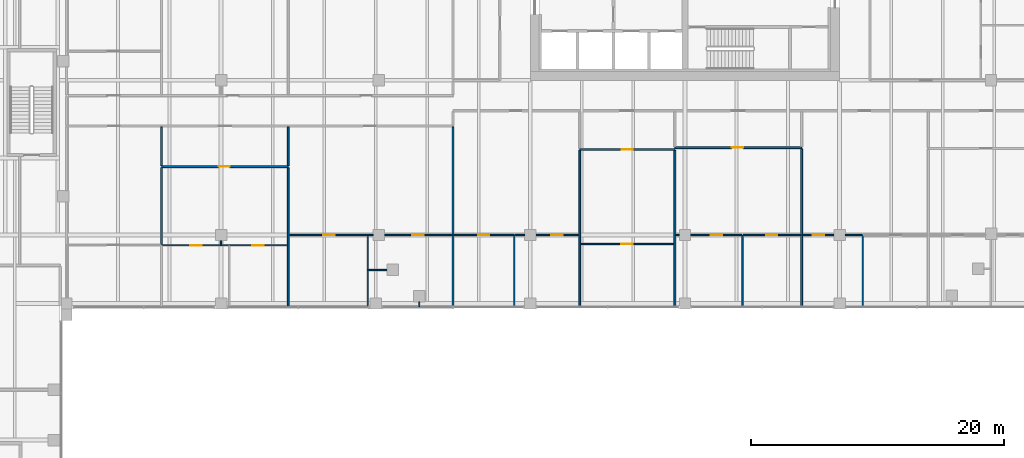
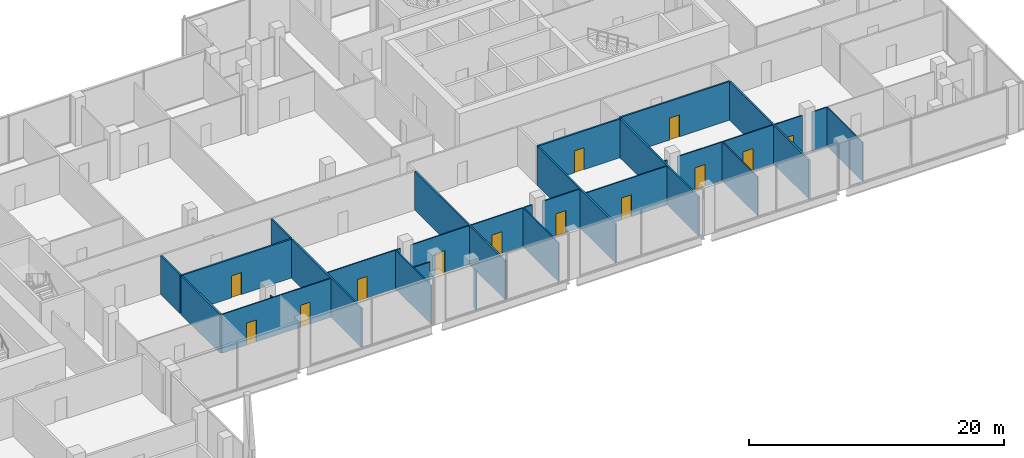
# One storey, part 25 of 33: 30 walls, 13 doors, 13 openings.
"""IFC4 building model written with IfcOpenShell, lengths in metres."""

from ifc_helpers import new_model, si_unit, direction, frame, frame_2d, origin, place, context, subcontext, project, spatial, rectangle, extrude, source, transform, mapped, material, layer, layer_set, type_object, element, fill, save


model = new_model("IFC4")

# Units and contexts
model_context = context("Model", 3, precision=1e-05, world=origin(), true_north=direction((0.0, 1.0)))
body_context = subcontext(model_context, "Body", "Model", "MODEL_VIEW")
ifc_project = project(units=[si_unit("LENGTHUNIT", "METRE"), si_unit("AREAUNIT", "SQUARE_METRE"), si_unit("VOLUMEUNIT", "CUBIC_METRE"), si_unit("PLANEANGLEUNIT", "RADIAN"), si_unit("MASSUNIT", "GRAM", prefix="KILO")], contexts=[model_context])

# Site, building, storey
site_placement = place(None, origin())
site = spatial("IfcSite", under=ifc_project, at=site_placement, CompositionType="ELEMENT")
building_placement = place(site_placement, origin())
building = spatial("IfcBuilding", under=site, at=building_placement, Name="Tessera Gate Towers", CompositionType="ELEMENT")
storey_placement = place(building_placement, frame((0.0, 0.0, 7.199951171875)))
storey = spatial("IfcBuildingStorey", under=building, at=storey_placement, Name="L01", CompositionType="ELEMENT", Elevation=7.199951171875)

# Wall, opening, door
ifc_material_1 = material(Name="Glass", Category="glass")
ifc_layer_1 = layer(ifc_material_1, 0.10009765625)
ifc_layer_set_1 = layer_set([ifc_layer_1], Name="GLAZED PARTITION 100")
wall_type_1 = type_object("IfcWallType", Name="GLAZED PARTITION 100", PredefinedType="PARTITIONING", material=ifc_layer_set_1)
wall_1_placement = place(storey_placement, frame((121.549072265625, 24.39990234375, 0.0), z_axis=(0.0, 0.0, 1.0), x_axis=(-1.0, 0.0, 0.0)))
wall_1 = element("IfcWall", 1, at=wall_1_placement, inside=storey, type_object=wall_type_1, Name="PODIUM-L01-PW-045", PredefinedType="PARTITIONING", context=body_context, shape_type="SweptSolid", body=[
    extrude(rectangle(XDim=2.47314453125, YDim=0.10009765625, at=frame_2d((1.236572265625, 0.0))), origin(), (0.0, 0.0, 1.0), 3.715087890625),
])
shared_shape_1 = source(origin(), body_context, "Body", "SweptSolid", [
    extrude(rectangle(XDim=0.89990234375, YDim=2.10009765625, at=frame_2d((0.449951171875, 1.050048828125))), frame((0.0, 0.06005859375, 0.0), z_axis=(0.0, -1.0, 0.0), x_axis=(1.0, 0.0, 0.0)), (0.0, 0.0, 1.0), 0.1201171875),
])
opening_1_placement = place(wall_1_placement, frame((0.77294921875, 0.0, 0.0)))
opening_1 = element("IfcOpeningElement", 2, at=opening_1_placement, cuts=wall_1, Name="Opening D690-P02-01", PredefinedType="OPENING", context=body_context, shape_type="MappedRepresentation", body=[
    mapped(shared_shape_1, transform((0.0, 0.0, 0.0), scale=1.0)),
])
ifc_material_2 = material(Name="Glass in aluminium frame", Category="aluminium")
door_type_1 = type_object("IfcDoorType", Name="GLAZED DOOR 900 NOT RATED", OperationType="NOTDEFINED", PredefinedType="DOOR", material=ifc_material_2)
shared_shape_2 = source(origin(), body_context, "Body", "SweptSolid", [
    extrude(rectangle(XDim=0.89990234375, YDim=2.10009765625, at=frame_2d((0.449951171875, 1.050048828125))), frame((0.0, 0.02490234375, 0.0), z_axis=(0.0, -1.0, 0.0), x_axis=(1.0, 0.0, 0.0)), (0.0, 0.0, 1.0), 0.050048828125),
])
door_1_placement = place(opening_1_placement, origin())
door_1 = element("IfcDoor", 3, at=door_1_placement, inside=storey, type_object=door_type_1, Name="PODIUM-L01-PD-002", OperationType="SINGLE_SWING_RIGHT", OverallHeight=2.10009765625, OverallWidth=0.89990234375, PredefinedType="DOOR", context=body_context, shape_type="MappedRepresentation", body=[
    mapped(shared_shape_2, transform((0.0, 0.0, 0.0), scale=1.0)),
])
fill(opening_1, door_1)

# Walls
wall_2_placement = place(storey_placement, frame((122.450927734375, 24.39990234375, 0.0), z_axis=(0.0, 0.0, 1.0), x_axis=(1.0, 0.0, 0.0)))
element("IfcWall", 4, at=wall_2_placement, inside=storey, type_object=wall_type_1, Name="PODIUM-L01-PW-046", PredefinedType="PARTITIONING", context=body_context, shape_type="SweptSolid", body=[
    extrude(rectangle(XDim=1.328857421875, YDim=0.10009765625, at=frame_2d((0.66455078125, 0.0))), origin(), (0.0, 0.0, 1.0), 3.715087890625),
])
ifc_material_3 = material(Name="Gypsum board on steel studs", Category="steel")
ifc_layer_2 = layer(ifc_material_3, 0.10009765625)
ifc_layer_set_2 = layer_set([ifc_layer_2], Name="PARTITION 100")
wall_type_2 = type_object("IfcWallType", Name="PARTITION 100", PredefinedType="PARTITIONING", material=ifc_layer_set_2)
wall_3_placement = place(storey_placement, frame((84.780029296875, 18.800048828125, 0.0), z_axis=(0.0, 0.0, 1.0), x_axis=(0.0, 1.0, 0.0)))
element("IfcWall", 5, at=wall_3_placement, inside=storey, type_object=wall_type_2, Name="PODIUM-L01-PW-013", PredefinedType="PARTITIONING", context=body_context, shape_type="SweptSolid", body=[
    extrude(rectangle(XDim=5.549072265625, YDim=0.10009765625, at=frame_2d((2.7744140625, 0.0))), origin(), (0.0, 0.0, 1.0), 3.715087890625),
])
for number, where, z_axis, x_axis, name in (
    (6, (96.3310546875, 18.800048828125, 0.0), (0.0, 0.0, 1.0), (0.0, 1.0, 0.0), "PODIUM-L01-PW-015"),
    (7, (114.35009765625, 18.800048828125, 0.0), (0.0, 0.0, 1.0), (0.0, 1.0, 0.0), "PODIUM-L01-PW-018"),
    (8, (123.8310546875, 18.800048828125, 0.0), (0.0, 0.0, 1.0), (0.0, 1.0, 0.0), "PODIUM-L01-PW-020"),
):
    element("IfcWall", number, at=place(storey_placement, frame(where, z_axis=z_axis, x_axis=x_axis)), inside=storey, type_object=wall_type_2, Name=name, PredefinedType="PARTITIONING", context=body_context, shape_type="SweptSolid", body=[
        extrude(rectangle(XDim=5.599853515625, YDim=0.10009765625, at=frame_2d((2.7998046875, 0.0))), origin(), (0.0, 0.0, 1.0), 3.715087890625),
    ])
wall_4_placement = place(storey_placement, frame((88.8310546875, 19.1240234375, 0.0), z_axis=(0.0, 0.0, 1.0), x_axis=(0.0, -1.0, 0.0)))
element("IfcWall", 9, at=wall_4_placement, inside=storey, type_object=wall_type_2, Name="PODIUM-L01-PW-023", PredefinedType="PARTITIONING", context=body_context, shape_type="SweptSolid", body=[
    extrude(rectangle(XDim=0.3740234375, YDim=0.10009765625, at=frame_2d((0.18701171875, 0.0))), origin(), (0.0, 0.0, 1.0), 3.715087890625),
])
wall_5_placement = place(storey_placement, frame((86.281005859375, 21.64404296875, 0.0), z_axis=(0.0, 0.0, 1.0), x_axis=(-1.0, 0.0, 0.0)))
element("IfcWall", 10, at=wall_5_placement, inside=storey, type_object=wall_type_2, Name="PODIUM-L01-PW-026", PredefinedType="PARTITIONING", context=body_context, shape_type="SweptSolid", body=[
    extrude(rectangle(XDim=1.450927734375, YDim=0.10009765625, at=frame_2d((0.7255859375, 0.0))), origin(), (0.0, 0.0, 1.0), 3.715087890625),
])

# Wall, openings, doors
wall_6_placement = place(storey_placement, frame((78.424072265625, 23.5859375, 0.0), z_axis=(0.0, 0.0, 1.0), x_axis=(-1.0, 0.0, 0.0)))
wall_6 = element("IfcWall", 11, at=wall_6_placement, inside=storey, type_object=wall_type_2, Name="PODIUM-L01-PW-031", PredefinedType="PARTITIONING", context=body_context, shape_type="SweptSolid", body=[
    extrude(rectangle(XDim=9.84814453125, YDim=0.10009765625, at=frame_2d((4.924072265625, 0.0))), origin(), (0.0, 0.0, 1.0), 3.715087890625),
])
opening_2_placement = place(wall_6_placement, frame((1.873046875, 0.0, 0.0)))
opening_2 = element("IfcOpeningElement", 12, at=opening_2_placement, cuts=wall_6, Name="Opening D190-P02-06", PredefinedType="OPENING", context=body_context, shape_type="MappedRepresentation", body=[
    mapped(shared_shape_1, transform((0.0, 0.0, 0.0), scale=1.0)),
])
opening_3_placement = place(wall_6_placement, frame((6.748046875, 0.0, 0.0)))
opening_3 = element("IfcOpeningElement", 13, at=opening_3_placement, cuts=wall_6, Name="Opening D190-P02-08", PredefinedType="OPENING", context=body_context, shape_type="MappedRepresentation", body=[
    mapped(shared_shape_1, transform((0.0, 0.0, 0.0), scale=1.0)),
])
ifc_material_4 = material(Name="Timber door leaf in steel frame", Category="steel")
door_type_2 = type_object("IfcDoorType", Name="INTERNAL DOOR 900 NOT RATED", OperationType="NOTDEFINED", PredefinedType="DOOR", material=ifc_material_4)
door_2_placement = place(opening_2_placement, origin())
door_2 = element("IfcDoor", 14, at=door_2_placement, inside=storey, type_object=door_type_2, Name="PODIUM-L01-PD-012", OperationType="SINGLE_SWING_RIGHT", OverallHeight=2.10009765625, OverallWidth=0.89990234375, PredefinedType="DOOR", context=body_context, shape_type="MappedRepresentation", body=[
    mapped(shared_shape_2, transform((0.0, 0.0, 0.0), scale=1.0)),
])
fill(opening_2, door_2)
door_3_placement = place(opening_3_placement, origin())
door_3 = element("IfcDoor", 15, at=door_3_placement, inside=storey, type_object=door_type_2, Name="PODIUM-L01-PD-017", OperationType="SINGLE_SWING_RIGHT", OverallHeight=2.10009765625, OverallWidth=0.89990234375, PredefinedType="DOOR", context=body_context, shape_type="MappedRepresentation", body=[
    mapped(shared_shape_2, transform((0.0, 0.0, 0.0), scale=1.0)),
])
fill(opening_3, door_3)

# Wall, opening, door
wall_7_placement = place(storey_placement, frame((108.924072265625, 23.699951171875, 0.0), z_axis=(0.0, 0.0, 1.0), x_axis=(-1.0, 0.0, 0.0)))
wall_7 = element("IfcWall", 16, at=wall_7_placement, inside=storey, type_object=wall_type_2, Name="PODIUM-L01-PW-035", PredefinedType="PARTITIONING", context=body_context, shape_type="SweptSolid", body=[
    extrude(rectangle(XDim=7.34814453125, YDim=0.10009765625, at=frame_2d((3.674072265625, 0.0))), origin(), (0.0, 0.0, 1.0), 3.715087890625),
])
opening_4_placement = place(wall_7_placement, frame((3.248046875, 0.0, 0.0)))
opening_4 = element("IfcOpeningElement", 17, at=opening_4_placement, cuts=wall_7, Name="Opening D190-P02-12", PredefinedType="OPENING", context=body_context, shape_type="MappedRepresentation", body=[
    mapped(shared_shape_1, transform((0.0, 0.0, 0.0), scale=1.0)),
])
door_4_placement = place(opening_4_placement, origin())
door_4 = element("IfcDoor", 18, at=door_4_placement, inside=storey, type_object=door_type_2, Name="PODIUM-L01-PD-025", OperationType="SINGLE_SWING_RIGHT", OverallHeight=2.10009765625, OverallWidth=0.89990234375, PredefinedType="DOOR", context=body_context, shape_type="MappedRepresentation", body=[
    mapped(shared_shape_2, transform((0.0, 0.0, 0.0), scale=1.0)),
])
fill(opening_4, door_4)

# Wall
wall_8_placement = place(storey_placement, frame((73.199951171875, 23.949951171875, 0.0), z_axis=(0.0, 0.0, 1.0), x_axis=(0.0, -1.0, 0.0)))
element("IfcWall", 19, at=wall_8_placement, inside=storey, type_object=wall_type_2, Name="PODIUM-L01-PW-036", PredefinedType="PARTITIONING", context=body_context, shape_type="SweptSolid", body=[
    extrude(rectangle(XDim=0.31396484375, YDim=0.10009765625, at=frame_2d((0.156982421875, 0.0))), origin(), (0.0, 0.0, 1.0), 3.715087890625),
])

# Wall, opening, door
wall_9_placement = place(storey_placement, frame((85.198974609375, 24.39990234375, 0.0), z_axis=(0.0, 0.0, 1.0), x_axis=(-1.0, 0.0, 0.0)))
wall_9 = element("IfcWall", 20, at=wall_9_placement, inside=storey, type_object=wall_type_2, Name="PODIUM-L01-PW-037", PredefinedType="PARTITIONING", context=body_context, shape_type="SweptSolid", body=[
    extrude(rectangle(XDim=6.623046875, YDim=0.10009765625, at=frame_2d((3.3115234375, 0.0))), origin(), (0.0, 0.0, 1.0), 3.715087890625),
])
opening_5_placement = place(wall_9_placement, frame((3.02294921875, 0.0, 0.0)))
opening_5 = element("IfcOpeningElement", 21, at=opening_5_placement, cuts=wall_9, Name="Opening D190-P02-10", PredefinedType="OPENING", context=body_context, shape_type="MappedRepresentation", body=[
    mapped(shared_shape_1, transform((0.0, 0.0, 0.0), scale=1.0)),
])
door_5_placement = place(opening_5_placement, origin())
door_5 = element("IfcDoor", 22, at=door_5_placement, inside=storey, type_object=door_type_2, Name="PODIUM-L01-PD-023", OperationType="SINGLE_SWING_RIGHT", OverallHeight=2.10009765625, OverallWidth=0.89990234375, PredefinedType="DOOR", context=body_context, shape_type="MappedRepresentation", body=[
    mapped(shared_shape_2, transform((0.0, 0.0, 0.0), scale=1.0)),
])
fill(opening_5, door_5)

wall_10_placement = place(storey_placement, frame((91.424072265625, 24.39990234375, 0.0), z_axis=(0.0, 0.0, 1.0), x_axis=(-1.0, 0.0, 0.0)))
wall_10 = element("IfcWall", 23, at=wall_10_placement, inside=storey, type_object=wall_type_2, Name="PODIUM-L01-PW-038", PredefinedType="PARTITIONING", context=body_context, shape_type="SweptSolid", body=[
    extrude(rectangle(XDim=5.322998046875, YDim=0.10009765625, at=frame_2d((2.66162109375, 0.0))), origin(), (0.0, 0.0, 1.0), 3.715087890625),
])
opening_6_placement = place(wall_10_placement, frame((2.222900390625, 0.0, 0.0)))
opening_6 = element("IfcOpeningElement", 24, at=opening_6_placement, cuts=wall_10, Name="Opening D190-P02-09", PredefinedType="OPENING", context=body_context, shape_type="MappedRepresentation", body=[
    mapped(shared_shape_1, transform((0.0, 0.0, 0.0), scale=1.0)),
])
door_6_placement = place(opening_6_placement, origin())
door_6 = element("IfcDoor", 25, at=door_6_placement, inside=storey, type_object=door_type_2, Name="PODIUM-L01-PD-021", OperationType="SINGLE_SWING_RIGHT", OverallHeight=2.10009765625, OverallWidth=0.89990234375, PredefinedType="DOOR", context=body_context, shape_type="MappedRepresentation", body=[
    mapped(shared_shape_2, transform((0.0, 0.0, 0.0), scale=1.0)),
])
fill(opening_6, door_6)

wall_11_placement = place(storey_placement, frame((96.27978515625, 24.39990234375, 0.0), z_axis=(0.0, 0.0, 1.0), x_axis=(-1.0, 0.0, 0.0)))
wall_11 = element("IfcWall", 26, at=wall_11_placement, inside=storey, type_object=wall_type_2, Name="PODIUM-L01-PW-039", PredefinedType="PARTITIONING", context=body_context, shape_type="SweptSolid", body=[
    extrude(rectangle(XDim=4.703857421875, YDim=0.10009765625, at=frame_2d((2.35205078125, 0.0))), origin(), (0.0, 0.0, 1.0), 3.715087890625),
])
opening_7_placement = place(wall_11_placement, frame((1.90380859375, 0.0, 0.0)))
opening_7 = element("IfcOpeningElement", 27, at=opening_7_placement, cuts=wall_11, Name="Opening D190-P02-07", PredefinedType="OPENING", context=body_context, shape_type="MappedRepresentation", body=[
    mapped(shared_shape_1, transform((0.0, 0.0, 0.0), scale=1.0)),
])
door_7_placement = place(opening_7_placement, origin())
door_7 = element("IfcDoor", 28, at=door_7_placement, inside=storey, type_object=door_type_2, Name="PODIUM-L01-PD-013", OperationType="SINGLE_SWING_RIGHT", OverallHeight=2.10009765625, OverallWidth=0.89990234375, PredefinedType="DOOR", context=body_context, shape_type="MappedRepresentation", body=[
    mapped(shared_shape_2, transform((0.0, 0.0, 0.0), scale=1.0)),
])
fill(opening_7, door_7)

# Wall
wall_12_placement = place(storey_placement, frame((96.3818359375, 24.39990234375, 0.0), z_axis=(0.0, 0.0, 1.0), x_axis=(1.0, 0.0, 0.0)))
element("IfcWall", 29, at=wall_12_placement, inside=storey, type_object=wall_type_2, Name="PODIUM-L01-PW-040", PredefinedType="PARTITIONING", context=body_context, shape_type="SweptSolid", body=[
    extrude(rectangle(XDim=0.76708984375, YDim=0.10009765625, at=frame_2d((0.383544921875, 0.0))), origin(), (0.0, 0.0, 1.0), 3.715087890625),
])

# Wall, opening, door
wall_13_placement = place(storey_placement, frame((101.424072265625, 24.39990234375, 0.0), z_axis=(0.0, 0.0, 1.0), x_axis=(-1.0, 0.0, 0.0)))
wall_13 = element("IfcWall", 30, at=wall_13_placement, inside=storey, type_object=wall_type_2, Name="PODIUM-L01-PW-041", PredefinedType="PARTITIONING", context=body_context, shape_type="SweptSolid", body=[
    extrude(rectangle(XDim=3.373046875, YDim=0.10009765625, at=frame_2d((1.6865234375, 0.0))), origin(), (0.0, 0.0, 1.0), 3.715087890625),
])
opening_8_placement = place(wall_13_placement, frame((1.27294921875, 0.0, 0.0)))
opening_8 = element("IfcOpeningElement", 31, at=opening_8_placement, cuts=wall_13, Name="Opening D190-P02-02", PredefinedType="OPENING", context=body_context, shape_type="MappedRepresentation", body=[
    mapped(shared_shape_1, transform((0.0, 0.0, 0.0), scale=1.0)),
])
door_8_placement = place(opening_8_placement, origin())
door_8 = element("IfcDoor", 32, at=door_8_placement, inside=storey, type_object=door_type_2, Name="PODIUM-L01-PD-005", OperationType="SINGLE_SWING_RIGHT", OverallHeight=2.10009765625, OverallWidth=0.89990234375, PredefinedType="DOOR", context=body_context, shape_type="MappedRepresentation", body=[
    mapped(shared_shape_2, transform((0.0, 0.0, 0.0), scale=1.0)),
])
fill(opening_8, door_8)

# Wall
wall_14_placement = place(storey_placement, frame((109.075927734375, 24.39990234375, 0.0), z_axis=(0.0, 0.0, 1.0), x_axis=(1.0, 0.0, 0.0)))
element("IfcWall", 33, at=wall_14_placement, inside=storey, type_object=wall_type_2, Name="PODIUM-L01-PW-042", PredefinedType="PARTITIONING", context=body_context, shape_type="SweptSolid", body=[
    extrude(rectangle(XDim=0.273193359375, YDim=0.10009765625, at=frame_2d((0.13671875, 0.0))), origin(), (0.0, 0.0, 1.0), 3.715087890625),
])

# Wall, opening, door
wall_15_placement = place(storey_placement, frame((114.299072265625, 24.39990234375, 0.0), z_axis=(0.0, 0.0, 1.0), x_axis=(-1.0, 0.0, 0.0)))
wall_15 = element("IfcWall", 34, at=wall_15_placement, inside=storey, type_object=wall_type_2, Name="PODIUM-L01-PW-043", PredefinedType="PARTITIONING", context=body_context, shape_type="SweptSolid", body=[
    extrude(rectangle(XDim=4.048095703125, YDim=0.10009765625, at=frame_2d((2.02392578125, 0.0))), origin(), (0.0, 0.0, 1.0), 3.715087890625),
])
opening_9_placement = place(wall_15_placement, frame((1.548095703125, 0.0, 0.0)))
opening_9 = element("IfcOpeningElement", 35, at=opening_9_placement, cuts=wall_15, Name="Opening D190-P02-03", PredefinedType="OPENING", context=body_context, shape_type="MappedRepresentation", body=[
    mapped(shared_shape_1, transform((0.0, 0.0, 0.0), scale=1.0)),
])
door_9_placement = place(opening_9_placement, origin())
door_9 = element("IfcDoor", 36, at=door_9_placement, inside=storey, type_object=door_type_2, Name="PODIUM-L01-PD-008", OperationType="SINGLE_SWING_RIGHT", OverallHeight=2.10009765625, OverallWidth=0.89990234375, PredefinedType="DOOR", context=body_context, shape_type="MappedRepresentation", body=[
    mapped(shared_shape_2, transform((0.0, 0.0, 0.0), scale=1.0)),
])
fill(opening_9, door_9)

wall_16_placement = place(storey_placement, frame((118.924072265625, 24.39990234375, 0.0), z_axis=(0.0, 0.0, 1.0), x_axis=(-1.0, 0.0, 0.0)))
wall_16 = element("IfcWall", 37, at=wall_16_placement, inside=storey, type_object=wall_type_2, Name="PODIUM-L01-PW-044", PredefinedType="PARTITIONING", context=body_context, shape_type="SweptSolid", body=[
    extrude(rectangle(XDim=4.523193359375, YDim=0.10009765625, at=frame_2d((2.26171875, 0.0))), origin(), (0.0, 0.0, 1.0), 3.715087890625),
])
opening_10_placement = place(wall_16_placement, frame((1.822998046875, 0.0, 0.0)))
opening_10 = element("IfcOpeningElement", 38, at=opening_10_placement, cuts=wall_16, Name="Opening D190-P02-05", PredefinedType="OPENING", context=body_context, shape_type="MappedRepresentation", body=[
    mapped(shared_shape_1, transform((0.0, 0.0, 0.0), scale=1.0)),
])
door_10_placement = place(opening_10_placement, origin())
door_10 = element("IfcDoor", 39, at=door_10_placement, inside=storey, type_object=door_type_2, Name="PODIUM-L01-PD-010", OperationType="SINGLE_SWING_RIGHT", OverallHeight=2.10009765625, OverallWidth=0.89990234375, PredefinedType="DOOR", context=body_context, shape_type="MappedRepresentation", body=[
    mapped(shared_shape_2, transform((0.0, 0.0, 0.0), scale=1.0)),
])
fill(opening_10, door_10)

# Walls
ifc_material_5 = material(Name="Gypsum board on steel studs, mineral wool", Category="steel")
ifc_layer_3 = layer(ifc_material_5, 0.14990234375)
ifc_layer_set_3 = layer_set([ifc_layer_3], Name="TENANCY WALL 150")
wall_type_3 = type_object("IfcWallType", Name="TENANCY WALL 150", PredefinedType="PARTITIONING", material=ifc_layer_set_3)
wall_17_placement = place(storey_placement, frame((78.5, 18.800048828125, 0.0), z_axis=(0.0, 0.0, 1.0), x_axis=(0.0, 1.0, 0.0)))
element("IfcWall", 40, at=wall_17_placement, inside=storey, type_object=wall_type_3, Name="PODIUM-L01-PW-012", PredefinedType="PARTITIONING", context=body_context, shape_type="SweptSolid", body=[
    extrude(rectangle(XDim=10.924072265625, YDim=0.14990234375, at=frame_2d((5.4619140625, 0.0))), origin(), (0.0, 0.0, 1.0), 3.715087890625),
])
wall_18_placement = place(storey_placement, frame((91.5, 18.800048828125, 0.0), z_axis=(0.0, 0.0, 1.0), x_axis=(0.0, 1.0, 0.0)))
element("IfcWall", 41, at=wall_18_placement, inside=storey, type_object=wall_type_3, Name="PODIUM-L01-PW-014", PredefinedType="PARTITIONING", context=body_context, shape_type="SweptSolid", body=[
    extrude(rectangle(XDim=14.1240234375, YDim=0.14990234375, at=frame_2d((7.06201171875, 0.0))), origin(), (0.0, 0.0, 1.0), 3.715087890625),
])
for number, where, z_axis, x_axis, name in (
    (42, (101.5, 18.800048828125, 0.0), (0.0, 0.0, 1.0), (0.0, 1.0, 0.0), "PODIUM-L01-PW-016"),
    (43, (109.0, 18.800048828125, 0.0), (0.0, 0.0, 1.0), (0.0, 1.0, 0.0), "PODIUM-L01-PW-017"),
):
    element("IfcWall", number, at=place(storey_placement, frame(where, z_axis=z_axis, x_axis=x_axis)), inside=storey, type_object=wall_type_3, Name=name, PredefinedType="PARTITIONING", context=body_context, shape_type="SweptSolid", body=[
        extrude(rectangle(XDim=12.27392578125, YDim=0.14990234375, at=frame_2d((6.136962890625, 0.0))), origin(), (0.0, 0.0, 1.0), 3.715087890625),
    ])
wall_19_placement = place(storey_placement, frame((119.0, 18.800048828125, 0.0), z_axis=(0.0, 0.0, 1.0), x_axis=(0.0, 1.0, 0.0)))
element("IfcWall", 44, at=wall_19_placement, inside=storey, type_object=wall_type_3, Name="PODIUM-L01-PW-019", PredefinedType="PARTITIONING", context=body_context, shape_type="SweptSolid", body=[
    extrude(rectangle(XDim=12.424072265625, YDim=0.14990234375, at=frame_2d((6.2119140625, 0.0))), origin(), (0.0, 0.0, 1.0), 3.715087890625),
])
wall_20_placement = place(storey_placement, frame((68.5, 23.6201171875, 0.0), z_axis=(0.0, 0.0, 1.0), x_axis=(0.0, 1.0, 0.0)))
element("IfcWall", 45, at=wall_20_placement, inside=storey, type_object=wall_type_3, Name="PODIUM-L01-PW-034", PredefinedType="PARTITIONING", context=body_context, shape_type="SweptSolid", body=[
    extrude(rectangle(XDim=6.10400390625, YDim=0.14990234375, at=frame_2d((3.052001953125, 0.0))), origin(), (0.0, 0.0, 1.0), 3.715087890625),
])

# Wall, opening, door
wall_21_placement = place(storey_placement, frame((78.5, 29.800048828125, 0.0), z_axis=(0.0, 0.0, 1.0), x_axis=(-1.0, 0.0, 0.0)))
wall_21 = element("IfcWall", 46, at=wall_21_placement, inside=storey, type_object=wall_type_3, Name="PODIUM-L01-PW-053", PredefinedType="PARTITIONING", context=body_context, shape_type="SweptSolid", body=[
    extrude(rectangle(XDim=10.0, YDim=0.14990234375, at=frame_2d((5.0, 0.0))), origin(), (0.0, 0.0, 1.0), 3.715087890625),
])
shared_shape_3 = source(origin(), body_context, "Body", "SweptSolid", [
    extrude(rectangle(XDim=0.89990234375, YDim=2.10009765625, at=frame_2d((0.449951171875, 1.050048828125))), frame((0.0, 0.0849609375, 0.0), z_axis=(0.0, -1.0, 0.0), x_axis=(1.0, 0.0, 0.0)), (0.0, 0.0, 1.0), 0.169921875),
])
opening_11_placement = place(wall_21_placement, frame((4.60009765625, 0.0, 0.0)))
opening_11 = element("IfcOpeningElement", 47, at=opening_11_placement, cuts=wall_21, Name="Opening D190-P02-18", PredefinedType="OPENING", context=body_context, shape_type="MappedRepresentation", body=[
    mapped(shared_shape_3, transform((0.0, 0.0, 0.0), scale=1.0)),
])
door_11_placement = place(opening_11_placement, origin())
door_11 = element("IfcDoor", 48, at=door_11_placement, inside=storey, type_object=door_type_2, Name="PODIUM-L01-PD-044", OperationType="SINGLE_SWING_RIGHT", OverallHeight=2.10009765625, OverallWidth=0.89990234375, PredefinedType="DOOR", context=body_context, shape_type="MappedRepresentation", body=[
    mapped(shared_shape_2, transform((0.0, 0.0, 0.0), scale=1.0)),
])
fill(opening_11, door_11)

# Walls
for number, where, z_axis, x_axis, name in (
    (49, (68.5, 29.8759765625, 0.0), (0.0, 0.0, 1.0), (0.0, 1.0, 0.0), "PODIUM-L01-PW-054"),
    (50, (78.5, 29.8759765625, 0.0), (0.0, 0.0, 1.0), (0.0, 1.0, 0.0), "PODIUM-L01-PW-055"),
):
    element("IfcWall", number, at=place(storey_placement, frame(where, z_axis=z_axis, x_axis=x_axis)), inside=storey, type_object=wall_type_3, Name=name, PredefinedType="PARTITIONING", context=body_context, shape_type="SweptSolid", body=[
        extrude(rectangle(XDim=3.048095703125, YDim=0.14990234375, at=frame_2d((1.52392578125, 0.0))), origin(), (0.0, 0.0, 1.0), 3.715087890625),
    ])

# Wall, opening, door
wall_22_placement = place(storey_placement, frame((109.0, 31.14990234375, 0.0), z_axis=(0.0, 0.0, 1.0), x_axis=(-1.0, 0.0, 0.0)))
wall_22 = element("IfcWall", 51, at=wall_22_placement, inside=storey, type_object=wall_type_3, Name="PODIUM-L01-PW-056", PredefinedType="PARTITIONING", context=body_context, shape_type="SweptSolid", body=[
    extrude(rectangle(XDim=7.5, YDim=0.14990234375, at=frame_2d((3.75, 0.0))), origin(), (0.0, 0.0, 1.0), 3.715087890625),
])
opening_12_placement = place(wall_22_placement, frame((3.300048828125, 0.0, 0.0)))
opening_12 = element("IfcOpeningElement", 52, at=opening_12_placement, cuts=wall_22, Name="Opening D190-P02-14", PredefinedType="OPENING", context=body_context, shape_type="MappedRepresentation", body=[
    mapped(shared_shape_3, transform((0.0, 0.0, 0.0), scale=1.0)),
])
door_12_placement = place(opening_12_placement, origin())
door_12 = element("IfcDoor", 53, at=door_12_placement, inside=storey, type_object=door_type_2, Name="PODIUM-L01-PD-031", OperationType="SINGLE_SWING_RIGHT", OverallHeight=2.10009765625, OverallWidth=0.89990234375, PredefinedType="DOOR", context=body_context, shape_type="MappedRepresentation", body=[
    mapped(shared_shape_2, transform((0.0, 0.0, 0.0), scale=1.0)),
])
fill(opening_12, door_12)

wall_23_placement = place(storey_placement, frame((119.0, 31.300048828125, 0.0), z_axis=(0.0, 0.0, 1.0), x_axis=(-1.0, 0.0, 0.0)))
wall_23 = element("IfcWall", 54, at=wall_23_placement, inside=storey, type_object=wall_type_3, Name="PODIUM-L01-PW-059", PredefinedType="PARTITIONING", context=body_context, shape_type="SweptSolid", body=[
    extrude(rectangle(XDim=10.0, YDim=0.14990234375, at=frame_2d((5.0, 0.0))), origin(), (0.0, 0.0, 1.0), 3.715087890625),
])
opening_13_placement = place(wall_23_placement, frame((4.60009765625, 0.0, 0.0)))
opening_13 = element("IfcOpeningElement", 55, at=opening_13_placement, cuts=wall_23, Name="Opening D190-P02-19", PredefinedType="OPENING", context=body_context, shape_type="MappedRepresentation", body=[
    mapped(shared_shape_3, transform((0.0, 0.0, 0.0), scale=1.0)),
])
door_13_placement = place(opening_13_placement, origin())
door_13 = element("IfcDoor", 56, at=door_13_placement, inside=storey, type_object=door_type_2, Name="PODIUM-L01-PD-047", OperationType="SINGLE_SWING_RIGHT", OverallHeight=2.10009765625, OverallWidth=0.89990234375, PredefinedType="DOOR", context=body_context, shape_type="MappedRepresentation", body=[
    mapped(shared_shape_2, transform((0.0, 0.0, 0.0), scale=1.0)),
])
fill(opening_13, door_13)

save(model, "model.ifc")
